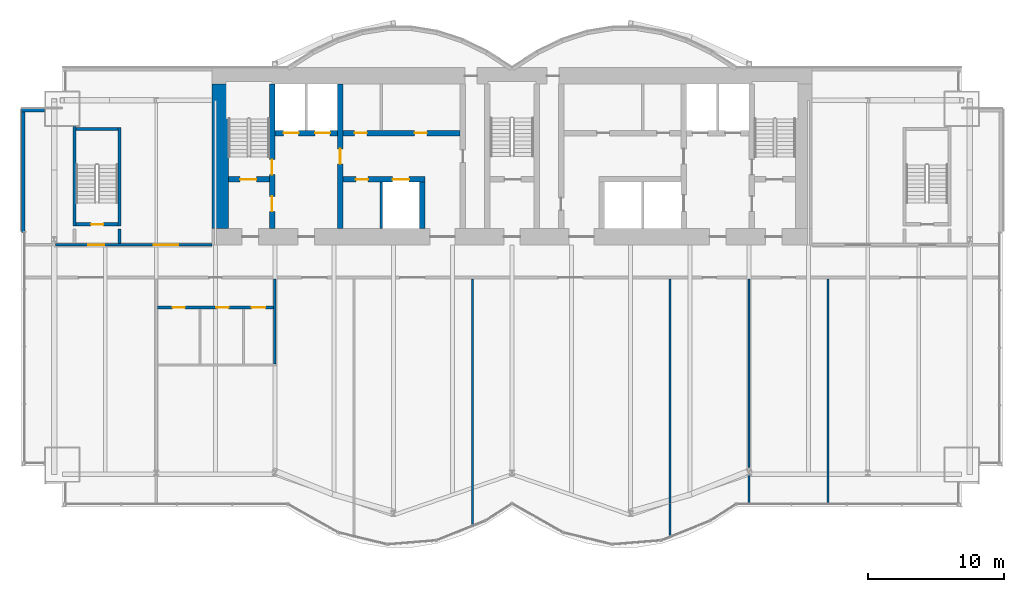
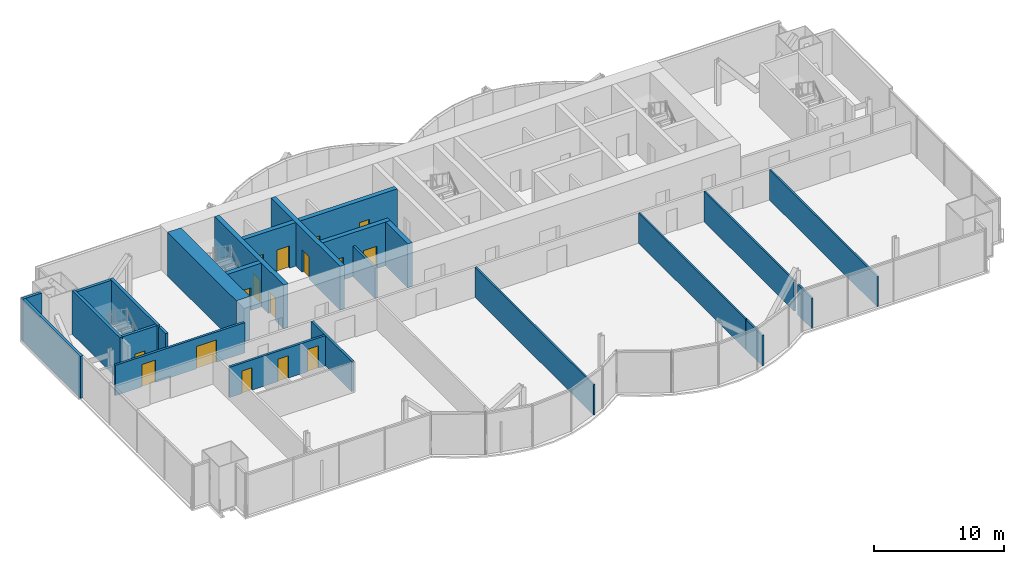
# One storey, part 14 of 20: 24 walls, 16 doors, 16 openings.
"""IFC4 building model written with IfcOpenShell, lengths in metres."""

import ifcopenshell
import ifcopenshell.guid

model = None  # the IFC model being written
_history = None  # IfcOwnerHistory: only IFC2X3 demands one
_inside = {}  # id of a spatial element -> (the spatial element, [elements in it])
_under = {}  # id of a project, library or spatial element -> (it, [spatial elements below it])
_declared = {}  # id of a project -> (the project, [libraries it declares])
_typed = {}  # id of a type object -> (the type object, [elements of that type])
_made_of = {}  # id of a material, layer set ... -> (it, [elements and type objects made of it])


def new_model(schema):
    """Start an empty IFC model of exactly this schema.

    Asked for "IFC4X3", IfcOpenShell would pick the latest addendum, in which some entities
    have other attributes; the version numbers below select the first issue.
    IFC2X3 requires an IfcOwnerHistory on every rooted entity: one is made here for all.
    """
    global model, _history
    if schema == "IFC4X3":
        model = ifcopenshell.file(schema_version=(4, 3, 0, 0))
    else:
        model = ifcopenshell.file(schema=schema)
    _inside.clear()
    _under.clear()
    _declared.clear()
    _typed.clear()
    _made_of.clear()
    _history = None
    if model.schema == "IFC2X3":
        org = make("IfcOrganization", Name="unknown")
        user = make(
            "IfcPersonAndOrganization",
            ThePerson=make("IfcPerson", FamilyName="unknown"),
            TheOrganization=org,
        )
        app = make(
            "IfcApplication",
            ApplicationDeveloper=org,
            Version="unknown",
            ApplicationFullName="unknown",
            ApplicationIdentifier="unknown",
        )
        _history = make(
            "IfcOwnerHistory",
            OwningUser=user,
            OwningApplication=app,
            ChangeAction="ADDED",
            CreationDate=0,
        )
    return model


def make(cls, **values):
    """One entity of the class cls with the attributes given. An attribute that is None is left unset."""
    return model.create_entity(
        cls, **{name: value for name, value in values.items() if value is not None}
    )


def rooted(cls, **values):
    """An entity with a GlobalId (a new one), such as an element, a storey or a relation."""
    return make(cls, GlobalId=ifcopenshell.guid.new(), OwnerHistory=_history, **values)


def si_unit(unit_type, name, prefix=None):
    """IfcSIUnit, for example si_unit("LENGTHUNIT", "METRE", prefix="MILLI")."""
    return make("IfcSIUnit", UnitType=unit_type, Prefix=prefix, Name=name)


def assignment(units):
    """IfcUnitAssignment: the units of a project."""
    return None if units is None else make("IfcUnitAssignment", Units=units)


def point(xyz):
    """IfcCartesianPoint."""
    return None if xyz is None else make("IfcCartesianPoint", Coordinates=xyz)


def direction(xyz):
    """IfcDirection."""
    return None if xyz is None else make("IfcDirection", DirectionRatios=xyz)


def frame(location, z_axis=None, x_axis=None):
    """IfcAxis2Placement3D, a coordinate frame: its origin and axes. An axis left out is left unset."""
    return make(
        "IfcAxis2Placement3D",
        Location=point(location),
        Axis=direction(z_axis),
        RefDirection=direction(x_axis),
    )


def frame_2d(location, x_axis=None):
    """IfcAxis2Placement2D, a coordinate frame in the plane: its origin and x axis."""
    return make(
        "IfcAxis2Placement2D", Location=point(location), RefDirection=direction(x_axis)
    )


def origin():
    """The frame at (0, 0, 0) with its axes left unset."""
    return frame((0.0, 0.0, 0.0))


def place(relative_to, where):
    """IfcLocalPlacement: puts the frame where relative to a parent placement (None: the world)."""
    return make(
        "IfcLocalPlacement", PlacementRelTo=relative_to, RelativePlacement=where
    )


def context(
    kind, dimensions, precision=None, world=None, true_north=None, identifier=None
):
    """IfcGeometricRepresentationContext, for example the 3D "Model" context."""
    return make(
        "IfcGeometricRepresentationContext",
        ContextIdentifier=identifier,
        ContextType=kind,
        CoordinateSpaceDimension=dimensions,
        Precision=precision,
        WorldCoordinateSystem=world,
        TrueNorth=true_north,
    )


def subcontext(parent, identifier, kind, view, scale=None):
    """IfcGeometricRepresentationSubContext, for example "Body" below "Model"."""
    return make(
        "IfcGeometricRepresentationSubContext",
        ContextIdentifier=identifier,
        ContextType=kind,
        ParentContext=parent,
        TargetScale=scale,
        TargetView=view,
    )


def project(units=None, contexts=None):
    """IfcProject with its units and contexts."""
    return rooted(
        "IfcProject",
        Name="project",
        RepresentationContexts=contexts,
        UnitsInContext=assignment(units),
    )


def spatial(cls, under=None, at=None, **own):
    """A site, building, storey or space (cls), placed at a placement, below another one or the project."""
    s = rooted(cls, ObjectPlacement=at, **own)
    if under is not None:
        _under.setdefault(under.id(), (under, []))[1].append(s)
    return s


def profile(cls, at=None, kind="AREA", **sizes):
    """A parametric profile (cls). Its sizes go by their IFC names, for example OverallWidth=200.0."""
    return make(cls, ProfileType=kind, Position=at, **sizes)


def rectangle(**sizes):
    """IfcRectangleProfileDef."""
    return profile("IfcRectangleProfileDef", **sizes)


def extrude(swept, where, along, depth):
    """IfcExtrudedAreaSolid: the profile swept, set in the frame where, extruded along a direction by depth."""
    return make(
        "IfcExtrudedAreaSolid",
        SweptArea=swept,
        Position=where,
        ExtrudedDirection=direction(along),
        Depth=depth,
    )


def shape(context_of_items, identifier, shape_type, items):
    """IfcShapeRepresentation: the items that make up one representation, for example the "Body"."""
    return make(
        "IfcShapeRepresentation",
        ContextOfItems=context_of_items,
        RepresentationIdentifier=identifier,
        RepresentationType=shape_type,
        Items=items,
    )


def material(Name=None, Category=None):
    """IfcMaterial."""
    return make("IfcMaterial", Name=Name, Category=Category)


def layer(
    of_material, thickness, ventilated=None, Name=None, Category=None, Priority=None
):
    """IfcMaterialLayer: one layer of a wall or slab, of a material (None: an air gap)."""
    return make(
        "IfcMaterialLayer",
        Material=of_material,
        LayerThickness=thickness,
        IsVentilated=ventilated,
        Name=Name,
        Category=Category,
        Priority=Priority,
    )


def layer_set(layers, Name=None):
    """IfcMaterialLayerSet."""
    return make("IfcMaterialLayerSet", MaterialLayers=layers, LayerSetName=Name)


def layer_usage(for_layer_set, set_direction, sense, offset, extent=None):
    """IfcMaterialLayerSetUsage: how a layer set lies in its element."""
    return make(
        "IfcMaterialLayerSetUsage",
        ForLayerSet=for_layer_set,
        LayerSetDirection=set_direction,
        DirectionSense=sense,
        OffsetFromReferenceLine=offset,
        ReferenceExtent=extent,
    )


def made_of(thing, what):
    """Note that an element or type object is made of a material, layer set ...; save() writes the relation."""
    if what is not None:
        _made_of.setdefault(what.id(), (what, []))[1].append(thing)
    return thing


def type_object(cls, material=None, **own):
    """A type object (cls), such as IfcWallType, which elements share."""
    return made_of(rooted(cls, **own), material)


def element(
    cls,
    number,
    at=None,
    inside=None,
    cuts=None,
    type_object=None,
    material=None,
    context=None,
    identifier="Body",
    shape_type=None,
    held_by="IfcProductDefinitionShape",
    body=None,
    shapes=None,
    **own,
):
    """One element of the class cls, such as IfcWall. Its Tag is "e" and its number.

    at: its placement. inside: the storey or other place that contains it. cuts: it is an
    opening in that element (IfcRelVoidsElement). A single representation is given by context,
    identifier, shape_type and body (its items); several are given by shapes. held_by: the class
    of the entity that holds the representations. save() writes the other relations.
    """
    e = rooted(cls, Tag="e%d" % number, ObjectPlacement=at, **own)
    if body is not None:
        shapes = [shape(context, identifier, shape_type, body)]
    if shapes is not None:
        e.Representation = make(held_by, Representations=shapes)
    if inside is not None:
        _inside.setdefault(inside.id(), (inside, []))[1].append(e)
    if cuts is not None:
        rooted(
            "IfcRelVoidsElement", RelatingBuildingElement=cuts, RelatedOpeningElement=e
        )
    if type_object is not None:
        _typed.setdefault(type_object.id(), (type_object, []))[1].append(e)
    return made_of(e, material)


def fill(opening, filler):
    """IfcRelFillsElement: the door or window that sits in an opening."""
    return rooted(
        "IfcRelFillsElement",
        RelatingOpeningElement=opening,
        RelatedBuildingElement=filler,
    )


def aggregate(whole, parts):
    """IfcRelAggregates: a whole, such as a stair, and the parts it consists of."""
    return rooted("IfcRelAggregates", RelatingObject=whole, RelatedObjects=parts)


def save(model, path):
    """Write the relations noted so far, then the file.

    IfcRelAggregates (storeys below a building ...), IfcRelContainedInSpatialStructure (elements
    in a storey), IfcRelDefinesByType, IfcRelAssociatesMaterial and IfcRelDeclares: one each for
    every whole, place, type object, material and project.
    """
    for whole, parts in _under.values():
        aggregate(whole, parts)
    for where, things in _inside.values():
        rooted(
            "IfcRelContainedInSpatialStructure",
            RelatedElements=things,
            RelatingStructure=where,
        )
    for kind, things in _typed.values():
        rooted("IfcRelDefinesByType", RelatedObjects=things, RelatingType=kind)
    for what, things in _made_of.values():
        rooted("IfcRelAssociatesMaterial", RelatedObjects=things, RelatingMaterial=what)
    for by, libraries in _declared.values():
        rooted("IfcRelDeclares", RelatingContext=by, RelatedDefinitions=libraries)
    model.write(path)


model = new_model("IFC4")

# Units and contexts
model_context = context("Model", 3, precision=1e-05, world=origin(), true_north=direction((0.0, 1.0)))
body_context = subcontext(model_context, "Body", "Model", "MODEL_VIEW")
ifc_project = project(units=[si_unit("LENGTHUNIT", "METRE"), si_unit("AREAUNIT", "SQUARE_METRE"), si_unit("VOLUMEUNIT", "CUBIC_METRE"), si_unit("PLANEANGLEUNIT", "RADIAN"), si_unit("MASSUNIT", "GRAM", prefix="KILO")], contexts=[model_context])

# Site, building, storey
site_placement = place(None, origin())
site = spatial("IfcSite", under=ifc_project, at=site_placement, CompositionType="ELEMENT")
building_placement = place(site_placement, origin())
building = spatial("IfcBuilding", under=site, at=building_placement, Name="Bicima Exchange Tower", CompositionType="ELEMENT")
storey_placement = place(building_placement, frame((0.0, 0.0, 207.300048828125)))
storey = spatial("IfcBuildingStorey", under=building, at=storey_placement, Name="L46", CompositionType="ELEMENT", Elevation=207.300048828125)

# Wall
ifc_material_1 = material(Name="Gypsum board partition")
ifc_layer_1 = layer(ifc_material_1, 0.199951171875)
ifc_layer_set_1 = layer_set([ifc_layer_1], Name="Gypsum board partition")
wall_type_1 = type_object("IfcWallType", Name="Fire-rated gypsum partition 200 EI120", PredefinedType="PARTITIONING", material=ifc_layer_set_1)
wall_1_placement = place(storey_placement, frame((-9.60009765625, -11.800048828125, 0.0), z_axis=(0.0, 0.0, 1.0), x_axis=(0.0, 1.0, 0.0)))
element("IfcWall", 1, at=wall_1_placement, inside=storey, type_object=wall_type_1, Name="partition wall 11", PredefinedType="PARTITIONING", context=body_context, shape_type="SweptSolid", body=[
    extrude(rectangle(XDim=3.400146484375, YDim=0.199951171875, at=frame_2d((1.7001953125, 0.0))), origin(), (0.0, 0.0, 1.0), 2.84033203125),
])

# Wall, openings, doors
ifc_layer_2 = layer(ifc_material_1, 0.199951171875)
ifc_layer_set_2 = layer_set([ifc_layer_2], Name="Gypsum board partition")
wall_type_2 = type_object("IfcWallType", Name="Fire-rated gypsum partition 200 EI60", PredefinedType="PARTITIONING", material=ifc_layer_set_2)
wall_2_placement = place(storey_placement, frame((-26.0, -17.60009765625, 0.0), z_axis=(0.0, 0.0, 1.0), x_axis=(1.0, 0.0, 0.0)))
wall_2 = element("IfcWall", 2, at=wall_2_placement, inside=storey, type_object=wall_type_2, Name="partition wall 2", PredefinedType="PARTITIONING", context=body_context, shape_type="SweptSolid", body=[
    extrude(rectangle(XDim=8.5, YDim=0.199951171875, at=frame_2d((4.25, 0.0))), origin(), (0.0, 0.0, 1.0), 2.84033203125),
])
opening_1_placement = place(wall_2_placement, frame((1.10009765625, 0.0, 0.0)))
opening_1 = element("IfcOpeningElement", 3, at=opening_1_placement, cuts=wall_2, Name="Opening L46-009", PredefinedType="OPENING", context=body_context, shape_type="SweptSolid", body=[
    extrude(rectangle(XDim=0.89990234375, YDim=2.10009765625, at=frame_2d((0.449951171875, 1.050048828125))), frame((0.0, 0.11181640625, 0.0), z_axis=(0.0, -1.0, 0.0), x_axis=(1.0, 0.0, 0.0)), (0.0, 0.0, 1.0), 0.223876953125),
])
opening_2_placement = place(wall_2_placement, frame((4.300048828125, 0.0, 0.0)))
opening_2 = element("IfcOpeningElement", 4, at=opening_2_placement, cuts=wall_2, Name="Opening L46-010", PredefinedType="OPENING", context=body_context, shape_type="SweptSolid", body=[
    extrude(rectangle(XDim=0.89990234375, YDim=2.10009765625, at=frame_2d((0.449951171875, 1.050048828125))), frame((0.0, 0.11181640625, 0.0), z_axis=(0.0, -1.0, 0.0), x_axis=(1.0, 0.0, 0.0)), (0.0, 0.0, 1.0), 0.223876953125),
])
opening_3_placement = place(wall_2_placement, frame((6.89990234375, 0.0, 0.0)))
opening_3 = element("IfcOpeningElement", 5, at=opening_3_placement, cuts=wall_2, Name="Opening L46-011", PredefinedType="OPENING", context=body_context, shape_type="SweptSolid", body=[
    extrude(rectangle(XDim=1.0, YDim=2.10009765625, at=frame_2d((0.5, 1.050048828125))), frame((0.0, 0.11181640625, 0.0), z_axis=(0.0, -1.0, 0.0), x_axis=(1.0, 0.0, 0.0)), (0.0, 0.0, 1.0), 0.223876953125),
])
ifc_material_2 = material(Name="Steel fire door leaf", Category="steel")
door_type_1 = type_object("IfcDoorType", Name="Door 1000 swing FD30S", OperationType="SINGLE_SWING_LEFT", PredefinedType="DOOR", material=ifc_material_2)
door_1_placement = place(opening_3_placement, frame((1.0, 0.0, 0.0), z_axis=(0.0, 0.0, 1.0), x_axis=(-1.0, 0.0, 0.0)))
door_1 = element("IfcDoor", 6, at=door_1_placement, inside=storey, type_object=door_type_1, Name="Door", OperationType="SINGLE_SWING_RIGHT", OverallHeight=2.10009765625, OverallWidth=1.0, PredefinedType="DOOR", context=body_context, shape_type="SweptSolid", body=[
    extrude(rectangle(XDim=1.0, YDim=2.10009765625, at=frame_2d((0.5, 1.050048828125))), frame((0.0, 0.02490234375, 0.0), z_axis=(0.0, -1.0, 0.0), x_axis=(1.0, 0.0, 0.0)), (0.0, 0.0, 1.0), 0.050048828125),
])
fill(opening_3, door_1)
door_type_2 = type_object("IfcDoorType", Name="Door 900 swing FD30S", OperationType="SINGLE_SWING_LEFT", PredefinedType="DOOR", material=ifc_material_2)
door_2_placement = place(opening_1_placement, frame((0.89990234375, 0.0, 0.0), z_axis=(0.0, 0.0, 1.0), x_axis=(-1.0, 0.0, 0.0)))
door_2 = element("IfcDoor", 7, at=door_2_placement, inside=storey, type_object=door_type_2, Name="Door", OperationType="SINGLE_SWING_RIGHT", OverallHeight=2.10009765625, OverallWidth=0.89990234375, PredefinedType="DOOR", context=body_context, shape_type="SweptSolid", body=[
    extrude(rectangle(XDim=0.89990234375, YDim=2.10009765625, at=frame_2d((0.449951171875, 1.050048828125))), frame((0.0, 0.02490234375, 0.0), z_axis=(0.0, -1.0, 0.0), x_axis=(1.0, 0.0, 0.0)), (0.0, 0.0, 1.0), 0.050048828125),
])
fill(opening_1, door_2)
door_3_placement = place(opening_2_placement, frame((0.89990234375, 0.0, 0.0), z_axis=(0.0, 0.0, 1.0), x_axis=(-1.0, 0.0, 0.0)))
door_3 = element("IfcDoor", 8, at=door_3_placement, inside=storey, type_object=door_type_2, Name="Door", OperationType="SINGLE_SWING_LEFT", OverallHeight=2.10009765625, OverallWidth=0.89990234375, PredefinedType="DOOR", context=body_context, shape_type="SweptSolid", body=[
    extrude(rectangle(XDim=0.89990234375, YDim=2.10009765625, at=frame_2d((0.449951171875, 1.050048828125))), frame((0.0, 0.02490234375, 0.0), z_axis=(0.0, -1.0, 0.0), x_axis=(1.0, 0.0, 0.0)), (0.0, 0.0, 1.0), 0.050048828125),
])
fill(opening_2, door_3)

wall_3_placement = place(storey_placement, frame((-33.47998046875, -13.0, 0.0), z_axis=(0.0, 0.0, 1.0), x_axis=(1.0, 0.0, 0.0)))
wall_3 = element("IfcWall", 9, at=wall_3_placement, inside=storey, type_object=wall_type_2, Name="partition wall 5", PredefinedType="PARTITIONING", context=body_context, shape_type="SweptSolid", body=[
    extrude(rectangle(XDim=11.47998046875, YDim=0.199951171875, at=frame_2d((5.739990234375, 0.0))), origin(), (0.0, 0.0, 1.0), 2.84033203125),
])
opening_4_placement = place(wall_3_placement, frame((2.3798828125, 0.0, 0.0)))
opening_4 = element("IfcOpeningElement", 10, at=opening_4_placement, cuts=wall_3, Name="Opening L46-001", PredefinedType="OPENING", context=body_context, shape_type="SweptSolid", body=[
    extrude(rectangle(XDim=1.199951171875, YDim=2.10009765625, at=frame_2d((0.60009765625, 1.050048828125))), frame((0.0, 0.11181640625, 0.0), z_axis=(0.0, -1.0, 0.0), x_axis=(1.0, 0.0, 0.0)), (0.0, 0.0, 1.0), 0.223876953125),
])
opening_5_placement = place(wall_3_placement, frame((7.179931640625, 0.0, 0.0)))
opening_5 = element("IfcOpeningElement", 11, at=opening_5_placement, cuts=wall_3, Name="Opening L46-005", PredefinedType="OPENING", context=body_context, shape_type="SweptSolid", body=[
    extrude(rectangle(XDim=1.800048828125, YDim=2.10009765625, at=frame_2d((0.89990234375, 1.050048828125))), frame((0.0, 0.11181640625, 0.0), z_axis=(0.0, -1.0, 0.0), x_axis=(1.0, 0.0, 0.0)), (0.0, 0.0, 1.0), 0.223876953125),
])
door_type_3 = type_object("IfcDoorType", Name="Door 1200 swing FD30S", OperationType="SINGLE_SWING_LEFT", PredefinedType="DOOR", material=ifc_material_2)
door_4_placement = place(opening_4_placement, origin())
door_4 = element("IfcDoor", 12, at=door_4_placement, inside=storey, type_object=door_type_3, Name="Door", OperationType="SINGLE_SWING_LEFT", OverallHeight=2.10009765625, OverallWidth=1.199951171875, PredefinedType="DOOR", context=body_context, shape_type="SweptSolid", body=[
    extrude(rectangle(XDim=1.199951171875, YDim=2.10009765625, at=frame_2d((0.60009765625, 1.050048828125))), frame((0.0, 0.02490234375, 0.0), z_axis=(0.0, -1.0, 0.0), x_axis=(1.0, 0.0, 0.0)), (0.0, 0.0, 1.0), 0.050048828125),
])
fill(opening_4, door_4)
door_type_4 = type_object("IfcDoorType", Name="Door 1800 double swing FD30S", OperationType="DOUBLE_DOOR_SINGLE_SWING", PredefinedType="DOOR", material=ifc_material_2)
door_5_placement = place(opening_5_placement, origin())
door_5 = element("IfcDoor", 13, at=door_5_placement, inside=storey, type_object=door_type_4, Name="Door", OperationType="SINGLE_SWING_LEFT", OverallHeight=2.10009765625, OverallWidth=1.800048828125, PredefinedType="DOOR", context=body_context, shape_type="SweptSolid", body=[
    extrude(rectangle(XDim=1.800048828125, YDim=2.10009765625, at=frame_2d((0.89990234375, 1.050048828125))), frame((0.0, 0.02490234375, 0.0), z_axis=(0.0, -1.0, 0.0), x_axis=(1.0, 0.0, 0.0)), (0.0, 0.0, 1.0), 0.050048828125),
])
fill(opening_5, door_5)

# Walls
wall_4_placement = place(storey_placement, frame((-17.39990234375, -21.72509765625, 0.0), z_axis=(0.0, 0.0, 1.0), x_axis=(0.0, 1.0, 0.0)))
element("IfcWall", 14, at=wall_4_placement, inside=storey, type_object=wall_type_2, Name="partition wall 17", PredefinedType="PARTITIONING", context=body_context, shape_type="SweptSolid", body=[
    extrude(rectangle(XDim=6.22509765625, YDim=0.199951171875, at=frame_2d((3.112548828125, 0.0))), origin(), (0.0, 0.0, 1.0), 2.84033203125),
])
ifc_layer_3 = layer(ifc_material_1, 0.14990234375)
ifc_layer_set_3 = layer_set([ifc_layer_3], Name="Gypsum board partition")
wall_type_3 = type_object("IfcWallType", Name="Gypsum partition 150", PredefinedType="PARTITIONING", material=ifc_layer_set_3)
wall_5_placement = place(storey_placement, frame((-2.89990234375, -33.7099609375, 0.0), z_axis=(0.0, 0.0, 1.0), x_axis=(0.0, 1.0, 0.0)))
element("IfcWall", 15, at=wall_5_placement, inside=storey, type_object=wall_type_3, Name="partition wall 20", PredefinedType="PARTITIONING", context=body_context, shape_type="SweptSolid", body=[
    extrude(rectangle(XDim=18.2099609375, YDim=0.14990234375, at=frame_2d((9.10498046875, 0.0))), origin(), (0.0, 0.0, 1.0), 2.84033203125),
])
wall_6_placement = place(storey_placement, frame((11.60009765625, -34.489990234375, 0.0), z_axis=(0.0, 0.0, 1.0), x_axis=(0.0, 1.0, 0.0)))
element("IfcWall", 16, at=wall_6_placement, inside=storey, type_object=wall_type_3, Name="partition wall 21", PredefinedType="PARTITIONING", context=body_context, shape_type="SweptSolid", body=[
    extrude(rectangle(XDim=2.5, YDim=0.14990234375, at=frame_2d((1.25, 0.0))), origin(), (0.0, 0.0, 1.0), 2.84033203125),
])
wall_7_placement = place(storey_placement, frame((11.60009765625, -31.927001953125, 0.0), z_axis=(0.0, 0.0, 1.0), x_axis=(0.0, 1.0, 0.0)))
element("IfcWall", 17, at=wall_7_placement, inside=storey, type_object=wall_type_3, Name="partition wall 22", PredefinedType="PARTITIONING", context=body_context, shape_type="SweptSolid", body=[
    extrude(rectangle(XDim=16.427001953125, YDim=0.14990234375, at=frame_2d((8.21337890625, 0.0))), origin(), (0.0, 0.0, 1.0), 2.84033203125),
])
wall_8_placement = place(storey_placement, frame((17.39990234375, -32.030029296875, 0.0), z_axis=(0.0, 0.0, 1.0), x_axis=(0.0, 1.0, 0.0)))
element("IfcWall", 18, at=wall_8_placement, inside=storey, type_object=wall_type_3, Name="partition wall 23", PredefinedType="PARTITIONING", context=body_context, shape_type="SweptSolid", body=[
    extrude(rectangle(XDim=2.190185546875, YDim=0.14990234375, at=frame_2d((1.09521484375, 0.0))), origin(), (0.0, 0.0, 1.0), 2.84033203125),
])
wall_9_placement = place(storey_placement, frame((17.39990234375, -29.35205078125, 0.0), z_axis=(0.0, 0.0, 1.0), x_axis=(0.0, 1.0, 0.0)))
element("IfcWall", 19, at=wall_9_placement, inside=storey, type_object=wall_type_3, Name="partition wall 24", PredefinedType="PARTITIONING", context=body_context, shape_type="SweptSolid", body=[
    extrude(rectangle(XDim=13.85205078125, YDim=0.14990234375, at=frame_2d((6.926025390625, 0.0))), origin(), (0.0, 0.0, 1.0), 2.84033203125),
])
wall_10_placement = place(storey_placement, frame((23.199951171875, -32.030029296875, 0.0), z_axis=(0.0, 0.0, 1.0), x_axis=(0.0, 1.0, 0.0)))
element("IfcWall", 20, at=wall_10_placement, inside=storey, type_object=wall_type_3, Name="partition wall 25", PredefinedType="PARTITIONING", context=body_context, shape_type="SweptSolid", body=[
    extrude(rectangle(XDim=16.530029296875, YDim=0.14990234375, at=frame_2d((8.26513671875, 0.0))), origin(), (0.0, 0.0, 1.0), 2.84033203125),
])
ifc_material_3 = material(Name="Concrete C50/60", Category="concrete")
ifc_layer_4 = layer(ifc_material_3, 1.199951171875)
ifc_layer_set_4 = layer_set([ifc_layer_4], Name="Concrete C50/60")
wall_type_4 = type_object("IfcWallType", Name="RC core wall 1200 C50/60", PredefinedType="SHEAR", material=ifc_layer_set_4)
wall_11_placement = place(storey_placement, frame((-21.39990234375, -11.800048828125, 0.0), z_axis=(0.0, 0.0, 1.0), x_axis=(0.0, 1.0, 0.0)))
element("IfcWall", 21, at=wall_11_placement, inside=storey, type_object=wall_type_4, Name="Core wall west", PredefinedType="SHEAR", context=body_context, shape_type="SweptSolid", body=[
    extrude(rectangle(XDim=10.60009765625, YDim=1.199951171875, at=frame_2d((5.300048828125, 0.0))), origin(), (0.0, 0.0, 1.0), 4.099853515625),
])
ifc_layer_5 = layer(ifc_material_3, 0.25)
ifc_layer_set_5 = layer_set([ifc_layer_5], Name="Concrete C50/60")
wall_type_5 = type_object("IfcWallType", Name="RC core wall 250 C50/60", PredefinedType="SHEAR", material=ifc_layer_set_5)
wall_12_placement = place(storey_placement, frame((-28.800048828125, -12.89990234375, 0.0), z_axis=(0.0, 0.0, 1.0), x_axis=(0.0, 1.0, 0.0)))
element("IfcWall", 22, at=wall_12_placement, inside=storey, type_object=wall_type_5, Name="stair wall 13", PredefinedType="SHEAR", context=body_context, shape_type="SweptSolid", body=[
    extrude(rectangle(XDim=1.0498046875, YDim=0.25, at=frame_2d((0.52490234375, 0.0))), origin(), (0.0, 0.0, 1.0), 4.099853515625),
])

# Wall, opening, door
ifc_layer_6 = layer(ifc_material_3, 0.39990234375)
ifc_layer_set_6 = layer_set([ifc_layer_6], Name="Concrete C50/60")
wall_type_6 = type_object("IfcWallType", Name="RC core wall 400 C50/60", PredefinedType="SHEAR", material=ifc_layer_set_6)
wall_13_placement = place(storey_placement, frame((-20.800048828125, -8.199951171875, 0.0), z_axis=(0.0, 0.0, 1.0), x_axis=(1.0, 0.0, 0.0)))
wall_13 = element("IfcWall", 23, at=wall_13_placement, inside=storey, type_object=wall_type_6, Name="stair wall 1", PredefinedType="SHEAR", context=body_context, shape_type="SweptSolid", body=[
    extrude(rectangle(XDim=3.0, YDim=0.39990234375, at=frame_2d((1.5, 0.0))), origin(), (0.0, 0.0, 1.0), 4.099853515625),
])
opening_6_placement = place(wall_13_placement, frame((0.85009765625, 0.0, 0.0)))
opening_6 = element("IfcOpeningElement", 24, at=opening_6_placement, cuts=wall_13, Name="Opening L46-C01", PredefinedType="OPENING", context=body_context, shape_type="SweptSolid", body=[
    extrude(rectangle(XDim=1.199951171875, YDim=2.10009765625, at=frame_2d((0.60009765625, 1.050048828125))), frame((0.0, 0.2119140625, 0.0), z_axis=(0.0, -1.0, 0.0), x_axis=(1.0, 0.0, 0.0)), (0.0, 0.0, 1.0), 0.423828125),
])
door_type_5 = type_object("IfcDoorType", Name="Door 1200 swing FD60S", OperationType="SINGLE_SWING_LEFT", PredefinedType="DOOR", material=ifc_material_2)
door_6_placement = place(opening_6_placement, origin())
door_6 = element("IfcDoor", 25, at=door_6_placement, inside=storey, type_object=door_type_5, Name="Core door", OperationType="SINGLE_SWING_LEFT", OverallHeight=2.10009765625, OverallWidth=1.199951171875, PredefinedType="DOOR", context=body_context, shape_type="SweptSolid", body=[
    extrude(rectangle(XDim=1.199951171875, YDim=2.10009765625, at=frame_2d((0.60009765625, 1.050048828125))), frame((0.0, 0.02490234375, 0.0), z_axis=(0.0, -1.0, 0.0), x_axis=(1.0, 0.0, 0.0)), (0.0, 0.0, 1.0), 0.050048828125),
])
fill(opening_6, door_6)

# Wall, openings, doors
wall_14_placement = place(storey_placement, frame((-12.39990234375, -8.199951171875, 0.0), z_axis=(0.0, 0.0, 1.0), x_axis=(1.0, 0.0, 0.0)))
wall_14 = element("IfcWall", 26, at=wall_14_placement, inside=storey, type_object=wall_type_6, Name="shear wall 2", PredefinedType="SHEAR", context=body_context, shape_type="SweptSolid", body=[
    extrude(rectangle(XDim=6.0, YDim=0.39990234375, at=frame_2d((3.0, 0.0))), origin(), (0.0, 0.0, 1.0), 4.099853515625),
])
opening_7_placement = place(wall_14_placement, frame((3.64990234375, 0.0, 0.0)))
opening_7 = element("IfcOpeningElement", 27, at=opening_7_placement, cuts=wall_14, Name="Opening LD-MB1-L46", PredefinedType="OPENING", context=body_context, shape_type="SweptSolid", body=[
    extrude(rectangle(XDim=1.199951171875, YDim=2.10009765625, at=frame_2d((0.60009765625, 1.050048828125))), frame((0.0, 0.2119140625, 0.0), z_axis=(0.0, -1.0, 0.0), x_axis=(1.0, 0.0, 0.0)), (0.0, 0.0, 1.0), 0.423828125),
])
opening_8_placement = place(wall_14_placement, frame((0.949951171875, 0.0, 0.0)))
opening_8 = element("IfcOpeningElement", 28, at=opening_8_placement, cuts=wall_14, Name="Opening L46-C16", PredefinedType="OPENING", context=body_context, shape_type="SweptSolid", body=[
    extrude(rectangle(XDim=0.89990234375, YDim=2.10009765625, at=frame_2d((0.449951171875, 1.050048828125))), frame((0.0, 0.2119140625, 0.0), z_axis=(0.0, -1.0, 0.0), x_axis=(1.0, 0.0, 0.0)), (0.0, 0.0, 1.0), 0.423828125),
])
door_7_placement = place(opening_8_placement, frame((0.89990234375, 0.0, 0.0), z_axis=(0.0, 0.0, 1.0), x_axis=(-1.0, 0.0, 0.0)))
door_7 = element("IfcDoor", 29, at=door_7_placement, inside=storey, type_object=door_type_2, Name="Core door", OperationType="SINGLE_SWING_LEFT", OverallHeight=2.10009765625, OverallWidth=0.89990234375, PredefinedType="DOOR", context=body_context, shape_type="SweptSolid", body=[
    extrude(rectangle(XDim=0.89990234375, YDim=2.10009765625, at=frame_2d((0.449951171875, 1.050048828125))), frame((0.0, 0.02490234375, 0.0), z_axis=(0.0, -1.0, 0.0), x_axis=(1.0, 0.0, 0.0)), (0.0, 0.0, 1.0), 0.050048828125),
])
fill(opening_8, door_7)
ifc_material_4 = material(Name="Stainless steel", Category="steel")
door_type_6 = type_object("IfcDoorType", Name="Lift landing door 1200 sliding", OperationType="DOUBLE_DOOR_SLIDING", PredefinedType="DOOR", material=ifc_material_4)
door_8_placement = place(opening_7_placement, origin())
door_8 = element("IfcDoor", 30, at=door_8_placement, inside=storey, type_object=door_type_6, Name="Lift landing door MB1", OperationType="DOUBLE_DOOR_SLIDING", OverallHeight=2.10009765625, OverallWidth=1.199951171875, PredefinedType="DOOR", context=body_context, shape_type="SweptSolid", body=[
    extrude(rectangle(XDim=1.199951171875, YDim=2.10009765625, at=frame_2d((0.60009765625, 1.050048828125))), frame((0.0, 0.02490234375, 0.0), z_axis=(0.0, -1.0, 0.0), x_axis=(1.0, 0.0, 0.0)), (0.0, 0.0, 1.0), 0.050048828125),
])
fill(opening_7, door_8)

wall_15_placement = place(storey_placement, frame((-17.39990234375, -4.800048828125, 0.0), z_axis=(0.0, 0.0, 1.0), x_axis=(1.0, 0.0, 0.0)))
wall_15 = element("IfcWall", 31, at=wall_15_placement, inside=storey, type_object=wall_type_6, Name="shear wall 6", PredefinedType="SHEAR", context=body_context, shape_type="SweptSolid", body=[
    extrude(rectangle(XDim=13.599853515625, YDim=0.39990234375, at=frame_2d((6.7998046875, 0.0))), origin(), (0.0, 0.0, 1.0), 4.099853515625),
])
opening_9_placement = place(wall_15_placement, frame((0.64990234375, 0.0, 0.0)))
opening_9 = element("IfcOpeningElement", 32, at=opening_9_placement, cuts=wall_15, Name="Opening LD-FF1-L46", PredefinedType="OPENING", context=body_context, shape_type="SweptSolid", body=[
    extrude(rectangle(XDim=1.10009765625, YDim=2.10009765625, at=frame_2d((0.550048828125, 1.050048828125))), frame((0.0, 0.2119140625, 0.0), z_axis=(0.0, -1.0, 0.0), x_axis=(1.0, 0.0, 0.0)), (0.0, 0.0, 1.0), 0.423828125),
])
opening_10_placement = place(wall_15_placement, frame((2.949951171875, 0.0, 0.0)))
opening_10 = element("IfcOpeningElement", 33, at=opening_10_placement, cuts=wall_15, Name="Opening LD-FF3-L46", PredefinedType="OPENING", context=body_context, shape_type="SweptSolid", body=[
    extrude(rectangle(XDim=1.10009765625, YDim=2.10009765625, at=frame_2d((0.550048828125, 1.050048828125))), frame((0.0, 0.2119140625, 0.0), z_axis=(0.0, -1.0, 0.0), x_axis=(1.0, 0.0, 0.0)), (0.0, 0.0, 1.0), 0.423828125),
])
opening_11_placement = place(wall_15_placement, frame((5.85009765625, 0.0, 0.0)))
opening_11 = element("IfcOpeningElement", 34, at=opening_11_placement, cuts=wall_15, Name="Opening L46-C12", PredefinedType="OPENING", context=body_context, shape_type="SweptSolid", body=[
    extrude(rectangle(XDim=0.89990234375, YDim=2.10009765625, at=frame_2d((0.449951171875, 1.050048828125))), frame((0.0, 0.2119140625, 0.0), z_axis=(0.0, -1.0, 0.0), x_axis=(1.0, 0.0, 0.0)), (0.0, 0.0, 1.0), 0.423828125),
])
opening_12_placement = place(wall_15_placement, frame((10.25, 0.0, 0.0)))
opening_12 = element("IfcOpeningElement", 35, at=opening_12_placement, cuts=wall_15, Name="Opening L46-C13", PredefinedType="OPENING", context=body_context, shape_type="SweptSolid", body=[
    extrude(rectangle(XDim=0.89990234375, YDim=2.10009765625, at=frame_2d((0.449951171875, 1.050048828125))), frame((0.0, 0.2119140625, 0.0), z_axis=(0.0, -1.0, 0.0), x_axis=(1.0, 0.0, 0.0)), (0.0, 0.0, 1.0), 0.423828125),
])
door_9_placement = place(opening_11_placement, origin())
door_9 = element("IfcDoor", 36, at=door_9_placement, inside=storey, type_object=door_type_2, Name="Core door", OperationType="SINGLE_SWING_RIGHT", OverallHeight=2.10009765625, OverallWidth=0.89990234375, PredefinedType="DOOR", context=body_context, shape_type="SweptSolid", body=[
    extrude(rectangle(XDim=0.89990234375, YDim=2.10009765625, at=frame_2d((0.449951171875, 1.050048828125))), frame((0.0, 0.02490234375, 0.0), z_axis=(0.0, -1.0, 0.0), x_axis=(1.0, 0.0, 0.0)), (0.0, 0.0, 1.0), 0.050048828125),
])
fill(opening_11, door_9)
door_10_placement = place(opening_12_placement, origin())
door_10 = element("IfcDoor", 37, at=door_10_placement, inside=storey, type_object=door_type_2, Name="Core door", OperationType="SINGLE_SWING_LEFT", OverallHeight=2.10009765625, OverallWidth=0.89990234375, PredefinedType="DOOR", context=body_context, shape_type="SweptSolid", body=[
    extrude(rectangle(XDim=0.89990234375, YDim=2.10009765625, at=frame_2d((0.449951171875, 1.050048828125))), frame((0.0, 0.02490234375, 0.0), z_axis=(0.0, -1.0, 0.0), x_axis=(1.0, 0.0, 0.0)), (0.0, 0.0, 1.0), 0.050048828125),
])
fill(opening_12, door_10)
door_type_7 = type_object("IfcDoorType", Name="Lift landing door 1100 sliding", OperationType="DOUBLE_DOOR_SLIDING", PredefinedType="DOOR", material=ifc_material_4)
door_11_placement = place(opening_9_placement, origin())
door_11 = element("IfcDoor", 38, at=door_11_placement, inside=storey, type_object=door_type_7, Name="Lift landing door FF1", OperationType="DOUBLE_DOOR_SLIDING", OverallHeight=2.10009765625, OverallWidth=1.10009765625, PredefinedType="DOOR", context=body_context, shape_type="SweptSolid", body=[
    extrude(rectangle(XDim=1.10009765625, YDim=2.10009765625, at=frame_2d((0.550048828125, 1.050048828125))), frame((0.0, 0.02490234375, 0.0), z_axis=(0.0, -1.0, 0.0), x_axis=(1.0, 0.0, 0.0)), (0.0, 0.0, 1.0), 0.050048828125),
])
fill(opening_9, door_11)
door_12_placement = place(opening_10_placement, origin())
door_12 = element("IfcDoor", 39, at=door_12_placement, inside=storey, type_object=door_type_7, Name="Lift landing door FF3", OperationType="DOUBLE_DOOR_SLIDING", OverallHeight=2.10009765625, OverallWidth=1.10009765625, PredefinedType="DOOR", context=body_context, shape_type="SweptSolid", body=[
    extrude(rectangle(XDim=1.10009765625, YDim=2.10009765625, at=frame_2d((0.550048828125, 1.050048828125))), frame((0.0, 0.02490234375, 0.0), z_axis=(0.0, -1.0, 0.0), x_axis=(1.0, 0.0, 0.0)), (0.0, 0.0, 1.0), 0.050048828125),
])
fill(opening_10, door_12)

wall_16_placement = place(storey_placement, frame((-17.60009765625, -11.800048828125, 0.0), z_axis=(0.0, 0.0, 1.0), x_axis=(0.0, 1.0, 0.0)))
wall_16 = element("IfcWall", 40, at=wall_16_placement, inside=storey, type_object=wall_type_6, Name="stair wall 8", PredefinedType="SHEAR", context=body_context, shape_type="SweptSolid", body=[
    extrude(rectangle(XDim=10.60009765625, YDim=0.39990234375, at=frame_2d((5.300048828125, 0.0))), origin(), (0.0, 0.0, 1.0), 4.099853515625),
])
opening_13_placement = place(wall_16_placement, frame((1.25, 0.0, 0.0)))
opening_13 = element("IfcOpeningElement", 41, at=opening_13_placement, cuts=wall_16, Name="Opening L46-C02", PredefinedType="OPENING", context=body_context, shape_type="SweptSolid", body=[
    extrude(rectangle(XDim=1.10009765625, YDim=2.10009765625, at=frame_2d((0.550048828125, 1.050048828125))), frame((0.0, 0.2119140625, 0.0), z_axis=(0.0, -1.0, 0.0), x_axis=(1.0, 0.0, 0.0)), (0.0, 0.0, 1.0), 0.423828125),
])
opening_14_placement = place(wall_16_placement, frame((3.949951171875, 0.0, 0.0)))
opening_14 = element("IfcOpeningElement", 42, at=opening_14_placement, cuts=wall_16, Name="Opening L46-C06", PredefinedType="OPENING", context=body_context, shape_type="SweptSolid", body=[
    extrude(rectangle(XDim=1.10009765625, YDim=2.10009765625, at=frame_2d((0.550048828125, 1.050048828125))), frame((0.0, 0.2119140625, 0.0), z_axis=(0.0, -1.0, 0.0), x_axis=(1.0, 0.0, 0.0)), (0.0, 0.0, 1.0), 0.423828125),
])
door_type_8 = type_object("IfcDoorType", Name="Door 1100 swing FD60S", OperationType="SINGLE_SWING_LEFT", PredefinedType="DOOR", material=ifc_material_2)
door_13_placement = place(opening_13_placement, frame((1.10009765625, 0.0, 0.0), z_axis=(0.0, 0.0, 1.0), x_axis=(-1.0, 0.0, 0.0)))
door_13 = element("IfcDoor", 43, at=door_13_placement, inside=storey, type_object=door_type_8, Name="Core door", OperationType="SINGLE_SWING_LEFT", OverallHeight=2.10009765625, OverallWidth=1.10009765625, PredefinedType="DOOR", context=body_context, shape_type="SweptSolid", body=[
    extrude(rectangle(XDim=1.10009765625, YDim=2.10009765625, at=frame_2d((0.550048828125, 1.050048828125))), frame((0.0, 0.02490234375, 0.0), z_axis=(0.0, -1.0, 0.0), x_axis=(1.0, 0.0, 0.0)), (0.0, 0.0, 1.0), 0.050048828125),
])
fill(opening_13, door_13)
door_14_placement = place(opening_14_placement, frame((1.10009765625, 0.0, 0.0), z_axis=(0.0, 0.0, 1.0), x_axis=(-1.0, 0.0, 0.0)))
door_14 = element("IfcDoor", 44, at=door_14_placement, inside=storey, type_object=door_type_8, Name="Core door", OperationType="SINGLE_SWING_LEFT", OverallHeight=2.10009765625, OverallWidth=1.10009765625, PredefinedType="DOOR", context=body_context, shape_type="SweptSolid", body=[
    extrude(rectangle(XDim=1.10009765625, YDim=2.10009765625, at=frame_2d((0.550048828125, 1.050048828125))), frame((0.0, 0.02490234375, 0.0), z_axis=(0.0, -1.0, 0.0), x_axis=(1.0, 0.0, 0.0)), (0.0, 0.0, 1.0), 0.050048828125),
])
fill(opening_14, door_14)

# Wall, opening, door
wall_17_placement = place(storey_placement, frame((-12.60009765625, -11.800048828125, 0.0), z_axis=(0.0, 0.0, 1.0), x_axis=(0.0, 1.0, 0.0)))
wall_17 = element("IfcWall", 45, at=wall_17_placement, inside=storey, type_object=wall_type_6, Name="shear wall 10", PredefinedType="SHEAR", context=body_context, shape_type="SweptSolid", body=[
    extrude(rectangle(XDim=10.60009765625, YDim=0.39990234375, at=frame_2d((5.300048828125, 0.0))), origin(), (0.0, 0.0, 1.0), 4.099853515625),
])
opening_15_placement = place(wall_17_placement, frame((4.75, 0.0, 0.0)))
opening_15 = element("IfcOpeningElement", 46, at=opening_15_placement, cuts=wall_17, Name="Opening L46-C07", PredefinedType="OPENING", context=body_context, shape_type="SweptSolid", body=[
    extrude(rectangle(XDim=1.10009765625, YDim=2.10009765625, at=frame_2d((0.550048828125, 1.050048828125))), frame((0.0, 0.2119140625, 0.0), z_axis=(0.0, -1.0, 0.0), x_axis=(1.0, 0.0, 0.0)), (0.0, 0.0, 1.0), 0.423828125),
])
door_15_placement = place(opening_15_placement, origin())
door_15 = element("IfcDoor", 47, at=door_15_placement, inside=storey, type_object=door_type_8, Name="Core door", OperationType="SINGLE_SWING_LEFT", OverallHeight=2.10009765625, OverallWidth=1.10009765625, PredefinedType="DOOR", context=body_context, shape_type="SweptSolid", body=[
    extrude(rectangle(XDim=1.10009765625, YDim=2.10009765625, at=frame_2d((0.550048828125, 1.050048828125))), frame((0.0, 0.02490234375, 0.0), z_axis=(0.0, -1.0, 0.0), x_axis=(1.0, 0.0, 0.0)), (0.0, 0.0, 1.0), 0.050048828125),
])
fill(opening_15, door_15)

# Walls
wall_18_placement = place(storey_placement, frame((-6.60009765625, -11.800048828125, 0.0), z_axis=(0.0, 0.0, 1.0), x_axis=(0.0, 1.0, 0.0)))
element("IfcWall", 48, at=wall_18_placement, inside=storey, type_object=wall_type_6, Name="shear wall 13", PredefinedType="SHEAR", context=body_context, shape_type="SweptSolid", body=[
    extrude(rectangle(XDim=3.400146484375, YDim=0.39990234375, at=frame_2d((1.7001953125, 0.0))), origin(), (0.0, 0.0, 1.0), 4.099853515625),
])
ifc_layer_7 = layer(ifc_material_3, 0.25)
ifc_layer_set_7 = layer_set([ifc_layer_7], Name="Concrete C50/60")
wall_type_7 = type_object("IfcWallType", Name="RC stair enclosure wall 250 C50/60", PredefinedType="SHEAR", material=ifc_layer_set_7)
wall_19_placement = place(storey_placement, frame((-32.10009765625, -11.625, 0.0), z_axis=(0.0, 0.0, 1.0), x_axis=(0.0, 1.0, 0.0)))
element("IfcWall", 49, at=wall_19_placement, inside=storey, type_object=wall_type_7, Name="West end exit stair wall W", PredefinedType="SHEAR", context=body_context, shape_type="SweptSolid", body=[
    extrude(rectangle(XDim=7.324951171875, YDim=0.25, at=frame_2d((3.66259765625, 0.0))), origin(), (0.0, 0.0, 1.0), 4.099853515625),
])
wall_20_placement = place(storey_placement, frame((-28.800048828125, -11.625, 0.0), z_axis=(0.0, 0.0, 1.0), x_axis=(0.0, 1.0, 0.0)))
element("IfcWall", 50, at=wall_20_placement, inside=storey, type_object=wall_type_7, Name="West end exit stair wall E", PredefinedType="SHEAR", context=body_context, shape_type="SweptSolid", body=[
    extrude(rectangle(XDim=7.25, YDim=0.25, at=frame_2d((3.625, 0.0))), origin(), (0.0, 0.0, 1.0), 4.099853515625),
])

# Wall, opening, door
wall_21_placement = place(storey_placement, frame((-31.97509765625, -11.5, 0.0), z_axis=(0.0, 0.0, 1.0), x_axis=(1.0, 0.0, 0.0)))
wall_21 = element("IfcWall", 51, at=wall_21_placement, inside=storey, type_object=wall_type_7, Name="West end exit stair wall S", PredefinedType="SHEAR", context=body_context, shape_type="SweptSolid", body=[
    extrude(rectangle(XDim=3.050048828125, YDim=0.25, at=frame_2d((1.52490234375, 0.0))), origin(), (0.0, 0.0, 1.0), 4.099853515625),
])
opening_16_placement = place(wall_21_placement, frame((1.10009765625, 0.0, 0.0)))
opening_16 = element("IfcOpeningElement", 52, at=opening_16_placement, cuts=wall_21, Name="Opening L46-002", PredefinedType="OPENING", context=body_context, shape_type="SweptSolid", body=[
    extrude(rectangle(XDim=0.89990234375, YDim=2.10009765625, at=frame_2d((0.449951171875, 1.050048828125))), frame((0.0, 0.136962890625, 0.0), z_axis=(0.0, -1.0, 0.0), x_axis=(1.0, 0.0, 0.0)), (0.0, 0.0, 1.0), 0.27392578125),
])
door_type_9 = type_object("IfcDoorType", Name="Door 900 swing FD60S", OperationType="SINGLE_SWING_LEFT", PredefinedType="DOOR", material=ifc_material_2)
door_16_placement = place(opening_16_placement, origin())
door_16 = element("IfcDoor", 53, at=door_16_placement, inside=storey, type_object=door_type_9, Name="Door", OperationType="SINGLE_SWING_LEFT", OverallHeight=2.10009765625, OverallWidth=0.89990234375, PredefinedType="DOOR", context=body_context, shape_type="SweptSolid", body=[
    extrude(rectangle(XDim=0.89990234375, YDim=2.10009765625, at=frame_2d((0.449951171875, 1.050048828125))), frame((0.0, 0.02490234375, 0.0), z_axis=(0.0, -1.0, 0.0), x_axis=(1.0, 0.0, 0.0)), (0.0, 0.0, 1.0), 0.050048828125),
])
fill(opening_16, door_16)

# Walls
wall_22_placement = place(storey_placement, frame((-31.97509765625, -4.5, 0.0), z_axis=(0.0, 0.0, 1.0), x_axis=(1.0, 0.0, 0.0)))
element("IfcWall", 54, at=wall_22_placement, inside=storey, type_object=wall_type_7, Name="West end exit stair wall N", PredefinedType="SHEAR", context=body_context, shape_type="SweptSolid", body=[
    extrude(rectangle(XDim=3.050048828125, YDim=0.25, at=frame_2d((1.52490234375, 0.0))), origin(), (0.0, 0.0, 1.0), 4.099853515625),
])
ifc_material_5 = material(Name="Concrete C40/50", Category="concrete")
ifc_layer_8 = layer(ifc_material_5, 0.25)
ifc_layer_set_8 = layer_set([ifc_layer_8], Name="Concrete C40/50")
ifc_layer_usage = layer_usage(ifc_layer_set_8, "AXIS2", "POSITIVE", -0.125)
wall_type_8 = type_object("IfcWallType", Name="Rear backup wall 250", PredefinedType="STANDARD", material=ifc_layer_set_8)
wall_23_placement = place(storey_placement, frame((-34.300048828125, -3.125, 0.0), z_axis=(0.0, 0.0, 1.0), x_axis=(-1.0, 0.0, 0.0)))
element("IfcWall", 55, at=wall_23_placement, inside=storey, type_object=wall_type_8, material=ifc_layer_usage, Name="Rear backup wall L46 22", PredefinedType="STANDARD", context=body_context, shape_type="SweptSolid", body=[
    extrude(rectangle(XDim=1.699951171875, YDim=0.25, at=frame_2d((0.85009765625, 0.0))), origin(), (0.0, 0.0, 1.0), 3.949951171875),
])
wall_24_placement = place(storey_placement, frame((-35.875, -3.0, 0.0), z_axis=(0.0, 0.0, 1.0), x_axis=(0.0, -1.0, 0.0)))
element("IfcWall", 56, at=wall_24_placement, inside=storey, type_object=wall_type_8, material=ifc_layer_usage, Name="Rear backup wall L46 23", PredefinedType="STANDARD", context=body_context, shape_type="SweptSolid", body=[
    extrude(rectangle(XDim=9.090087890625, YDim=0.25, at=frame_2d((4.544921875, 0.0))), origin(), (0.0, 0.0, 1.0), 3.949951171875),
])

save(model, "model.ifc")
